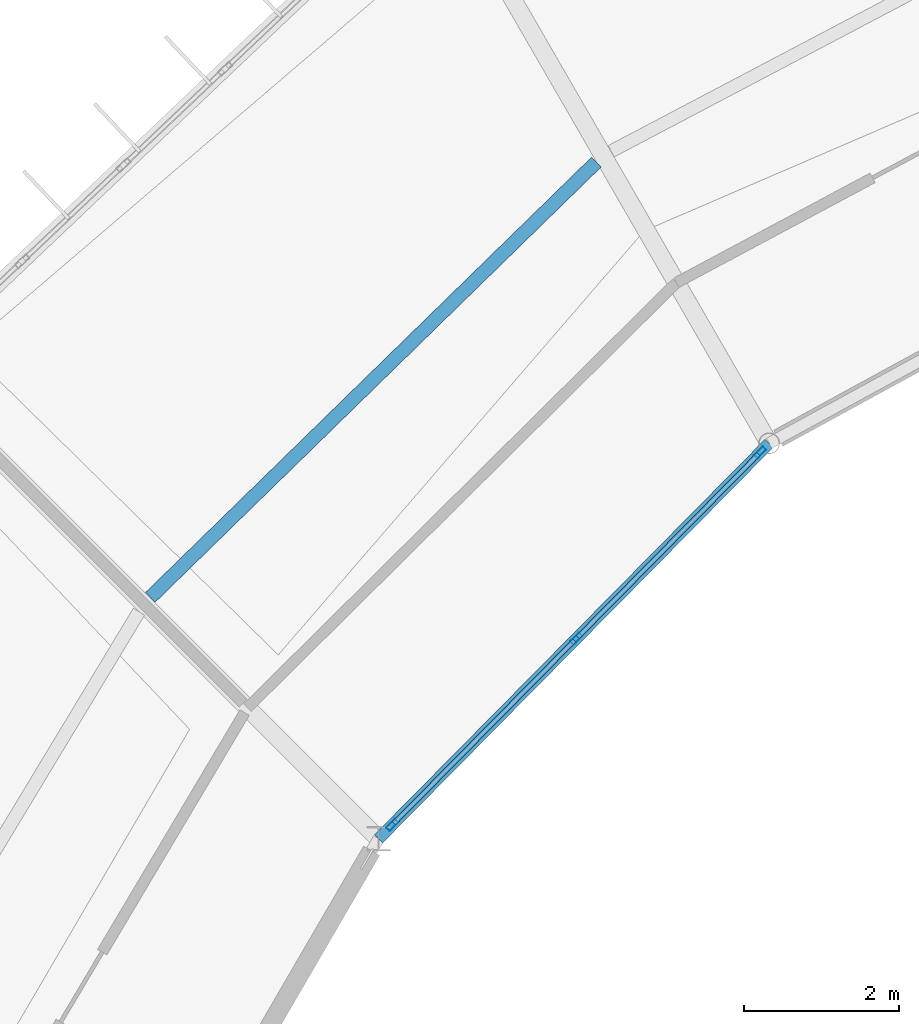
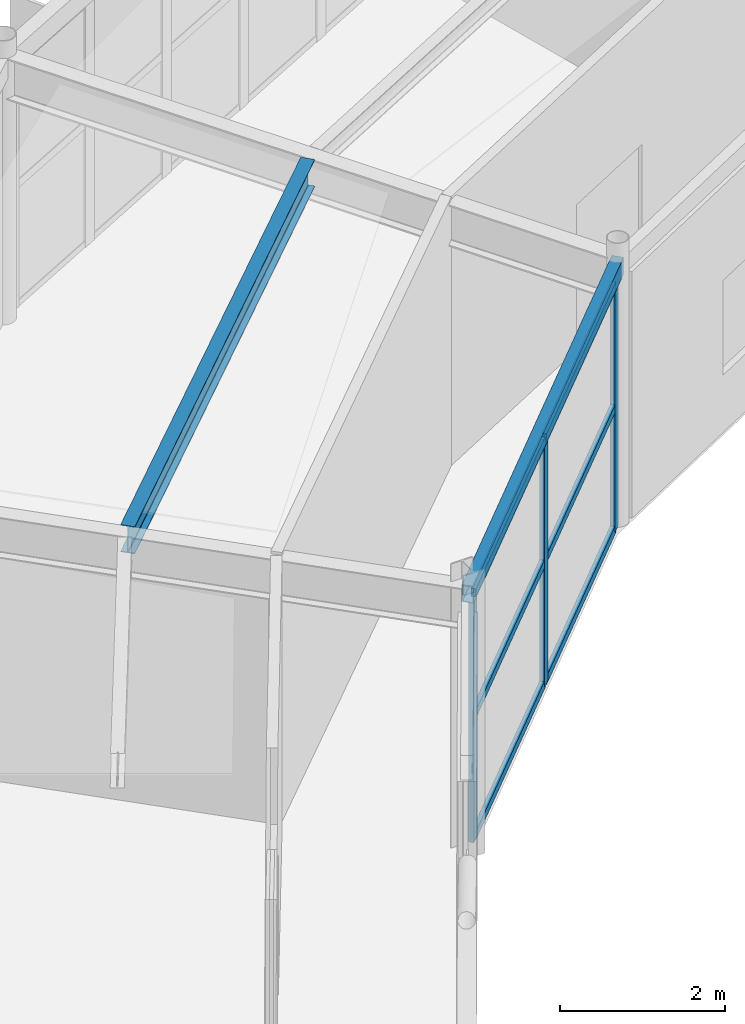
# One storey, part 75 of 148: 9 members, 2 beams, 1 element without a shape of its own.
"""IFC4 building model written with IfcOpenShell, lengths in metres."""

from ifc_helpers import new_model, si_unit, direction, frame, origin, origin_2d, place, context, subcontext, project, spatial, hollow_rectangle, i_section, extrude, material, material_profile, profile_set, type_object, element, aggregate, save


model = new_model("IFC4")

# Units and contexts
model_context = context("Model", 3, precision=1e-05, world=origin(), true_north=direction((0.0, 1.0)))
body_context = subcontext(model_context, "Body", "Model", "MODEL_VIEW")
ifc_project = project(units=[si_unit("LENGTHUNIT", "METRE"), si_unit("AREAUNIT", "SQUARE_METRE"), si_unit("VOLUMEUNIT", "CUBIC_METRE"), si_unit("PLANEANGLEUNIT", "RADIAN"), si_unit("MASSUNIT", "GRAM", prefix="KILO")], contexts=[model_context])

# Site, building, storey
site_placement = place(None, origin())
site = spatial("IfcSite", under=ifc_project, at=site_placement, CompositionType="ELEMENT")
building_placement = place(site_placement, origin())
building = spatial("IfcBuilding", under=site, at=building_placement, Name="Karori Crest Natural Sciences Institute", CompositionType="ELEMENT")
storey_placement = place(building_placement, frame((0.0, 0.0, 4.89990234375)))
storey = spatial("IfcBuildingStorey", under=building, at=storey_placement, Name="L01", CompositionType="ELEMENT", Elevation=4.89990234375)

# Beams
ifc_material_1 = material(Name="Hollow structural steel AS/NZS 1163 Grade C350", Category="steel")
ifc_material_profile_1 = material_profile(ifc_material_1, hollow_rectangle(XDim=0.14990234375, YDim=0.25, WallThickness=0.009033203125, at=origin_2d()), Name="RHS250x150x9")
ifc_profile_set_1 = profile_set([ifc_material_profile_1], Name="Hollow structural steel AS/NZS 1163 Grade C350")
beam_type_1 = type_object("IfcBeamType", Name="BT-16", PredefinedType="SPANDREL", material=ifc_profile_set_1)
beam_1_placement = place(storey_placement, frame((54.199951171875, 77.785888671875, 3.7900390625), z_axis=(-0.70266285879, -0.711522948946, 0.0), x_axis=(0.711522948946, -0.70266285879, 0.0)))
element("IfcBeam", 1, at=beam_1_placement, inside=storey, type_object=beam_type_1, Name="Beam B-0212", PredefinedType="SPANDREL", context=body_context, shape_type="SweptSolid", body=[
    extrude(hollow_rectangle(XDim=0.14990234375, YDim=0.25, WallThickness=0.009033203125, at=origin_2d()), origin(), (0.0, 0.0, 1.0), 7.19189453125),
])
ifc_material_2 = material(Name="Structural steel AS/NZS 3679.1 Grade 350", Category="steel")
ifc_material_profile_2 = material_profile(ifc_material_2, i_section(OverallWidth=0.177978515625, OverallDepth=0.403076171875, WebThickness=0.007568359375, FlangeThickness=0.010986328125, FilletRadius=0.010986328125, at=origin_2d()), Name="410UB53.7")
ifc_profile_set_2 = profile_set([ifc_material_profile_2], Name="Structural steel AS/NZS 3679.1 Grade 350")
beam_type_2 = type_object("IfcBeamType", Name="BT-29", PredefinedType="BEAM", material=ifc_profile_set_2)
beam_2_placement = place(storey_placement, frame((51.964111328125, 81.426025390625, 3.738525390625), z_axis=(-0.715696324431, -0.698411605857, 0.0), x_axis=(0.698411605857, -0.715696324431, 0.0)))
element("IfcBeam", 2, at=beam_2_placement, inside=storey, type_object=beam_type_2, Name="Beam B-0214", PredefinedType="BEAM", context=body_context, shape_type="SweptSolid", body=[
    extrude(i_section(OverallWidth=0.177978515625, OverallDepth=0.403076171875, WebThickness=0.007568359375, FlangeThickness=0.010986328125, FilletRadius=0.010986328125, at=origin_2d()), origin(), (0.0, 0.0, 1.0), 8.065185546875),
])

# Curtain wall, members
ifc_material_3 = material(Name="Anodised architectural aluminium 6063-T6", Category="aluminium")
curtain_wall_type = type_object("IfcCurtainWallType", Name="CWT-14", PredefinedType="NOTDEFINED", material=ifc_material_3)
curtain_wall_placement = place(storey_placement, origin())
curtain_wall = element("IfcCurtainWall", 3, at=curtain_wall_placement, inside=storey, type_object=curtain_wall_type, Name="Curtain wall CW-0043", PredefinedType="NOTDEFINED")
ifc_material_profile_3 = material_profile(ifc_material_3, hollow_rectangle(XDim=0.06494140625, YDim=0.159912109375, WallThickness=0.00390625, at=origin_2d()), Name="CWM160x65x4")
ifc_profile_set_3 = profile_set([ifc_material_profile_3], Name="Anodised architectural aluminium 6063-T6")
member_type_1 = type_object("IfcMemberType", Name="CWM-01", PredefinedType="MULLION", material=ifc_profile_set_3)
member_1_placement = place(storey_placement, frame((54.082763671875, 77.667236328125, 0.0), z_axis=(0.0, 0.0, 1.0), x_axis=(0.71152941525, -0.70265631089, 0.0)))
member_1 = element("IfcMember", 4, at=member_1_placement, type_object=member_type_1, Name="CW-0043 mullion 1", PredefinedType="MULLION", context=body_context, shape_type="SweptSolid", body=[
    extrude(hollow_rectangle(XDim=0.06494140625, YDim=0.159912109375, WallThickness=0.00390625, at=origin_2d()), origin(), (0.0, 0.0, 1.0), 3.650146484375),
])
member_2_placement = place(storey_placement, frame((51.7021484375, 75.256591796875, 0.0), z_axis=(0.0, 0.0, 1.0), x_axis=(0.71152941525, -0.70265631089, 0.0)))
member_2 = element("IfcMember", 5, at=member_2_placement, type_object=member_type_1, Name="CW-0043 mullion 2", PredefinedType="MULLION", context=body_context, shape_type="SweptSolid", body=[
    extrude(hollow_rectangle(XDim=0.06494140625, YDim=0.159912109375, WallThickness=0.00390625, at=origin_2d()), origin(), (0.0, 0.0, 1.0), 3.650146484375),
])
member_3_placement = place(storey_placement, frame((49.321533203125, 72.845947265625, 0.0), z_axis=(0.0, 0.0, 1.0), x_axis=(0.71152941525, -0.70265631089, 0.0)))
member_3 = element("IfcMember", 6, at=member_3_placement, type_object=member_type_1, Name="CW-0043 mullion 3", PredefinedType="MULLION", context=body_context, shape_type="SweptSolid", body=[
    extrude(hollow_rectangle(XDim=0.06494140625, YDim=0.159912109375, WallThickness=0.00390625, at=origin_2d()), origin(), (0.0, 0.0, 1.0), 3.650146484375),
])
ifc_material_profile_4 = material_profile(ifc_material_3, hollow_rectangle(XDim=0.06005859375, YDim=0.1201171875, WallThickness=0.00390625, at=origin_2d()), Name="CWT120x60x4")
ifc_profile_set_4 = profile_set([ifc_material_profile_4], Name="Anodised architectural aluminium 6063-T6")
member_type_2 = type_object("IfcMemberType", Name="CWT-TR1", PredefinedType="USERDEFINED", material=ifc_profile_set_4)
member_4_placement = place(storey_placement, frame((54.059814453125, 77.64404296875, 0.030029296875), z_axis=(-0.702684728982, -0.711501350424, 0.0), x_axis=(0.711501350424, -0.702684728982, 0.0)))
member_4 = element("IfcMember", 7, at=member_4_placement, type_object=member_type_2, Name="CW-0043 transom 1.1", ObjectType="TRANSOM", PredefinedType="USERDEFINED", context=body_context, shape_type="SweptSolid", body=[
    extrude(hollow_rectangle(XDim=0.06005859375, YDim=0.1201171875, WallThickness=0.00390625, at=origin_2d()), origin(), (0.0, 0.0, 1.0), 3.322998046875),
])
member_5_placement = place(storey_placement, frame((54.059814453125, 77.64404296875, 1.8251953125), z_axis=(-0.702684728982, -0.711501350424, 0.0), x_axis=(0.711501350424, -0.702684728982, 0.0)))
member_5 = element("IfcMember", 8, at=member_5_placement, type_object=member_type_2, Name="CW-0043 transom 1.2", ObjectType="TRANSOM", PredefinedType="USERDEFINED", context=body_context, shape_type="SweptSolid", body=[
    extrude(hollow_rectangle(XDim=0.06005859375, YDim=0.1201171875, WallThickness=0.00390625, at=origin_2d()), origin(), (0.0, 0.0, 1.0), 3.322998046875),
])
member_6_placement = place(storey_placement, frame((54.059814453125, 77.64404296875, 3.6201171875), z_axis=(-0.702684728982, -0.711501350424, 0.0), x_axis=(0.711501350424, -0.702684728982, 0.0)))
member_6 = element("IfcMember", 9, at=member_6_placement, type_object=member_type_2, Name="CW-0043 transom 1.3", ObjectType="TRANSOM", PredefinedType="USERDEFINED", context=body_context, shape_type="SweptSolid", body=[
    extrude(hollow_rectangle(XDim=0.06005859375, YDim=0.1201171875, WallThickness=0.00390625, at=origin_2d()), origin(), (0.0, 0.0, 1.0), 3.322998046875),
])
member_7_placement = place(storey_placement, frame((51.67919921875, 75.2333984375, 0.030029296875), z_axis=(-0.702647532142, -0.711538084416, 0.0), x_axis=(0.711538084416, -0.702647532142, 0.0)))
member_7 = element("IfcMember", 10, at=member_7_placement, type_object=member_type_2, Name="CW-0043 transom 2.1", ObjectType="TRANSOM", PredefinedType="USERDEFINED", context=body_context, shape_type="SweptSolid", body=[
    extrude(hollow_rectangle(XDim=0.06005859375, YDim=0.1201171875, WallThickness=0.00390625, at=origin_2d()), origin(), (0.0, 0.0, 1.0), 3.32275390625),
])
member_8_placement = place(storey_placement, frame((51.67919921875, 75.2333984375, 1.8251953125), z_axis=(-0.702647532142, -0.711538084416, 0.0), x_axis=(0.711538084416, -0.702647532142, 0.0)))
member_8 = element("IfcMember", 11, at=member_8_placement, type_object=member_type_2, Name="CW-0043 transom 2.2", ObjectType="TRANSOM", PredefinedType="USERDEFINED", context=body_context, shape_type="SweptSolid", body=[
    extrude(hollow_rectangle(XDim=0.06005859375, YDim=0.1201171875, WallThickness=0.00390625, at=origin_2d()), origin(), (0.0, 0.0, 1.0), 3.32275390625),
])
member_9_placement = place(storey_placement, frame((51.67919921875, 75.2333984375, 3.6201171875), z_axis=(-0.702647532142, -0.711538084416, 0.0), x_axis=(0.711538084416, -0.702647532142, 0.0)))
member_9 = element("IfcMember", 12, at=member_9_placement, type_object=member_type_2, Name="CW-0043 transom 2.3", ObjectType="TRANSOM", PredefinedType="USERDEFINED", context=body_context, shape_type="SweptSolid", body=[
    extrude(hollow_rectangle(XDim=0.06005859375, YDim=0.1201171875, WallThickness=0.00390625, at=origin_2d()), origin(), (0.0, 0.0, 1.0), 3.32275390625),
])
aggregate(curtain_wall, [member_1, member_2, member_3, member_4, member_5, member_6, member_7, member_8, member_9])

save(model, "model.ifc")
